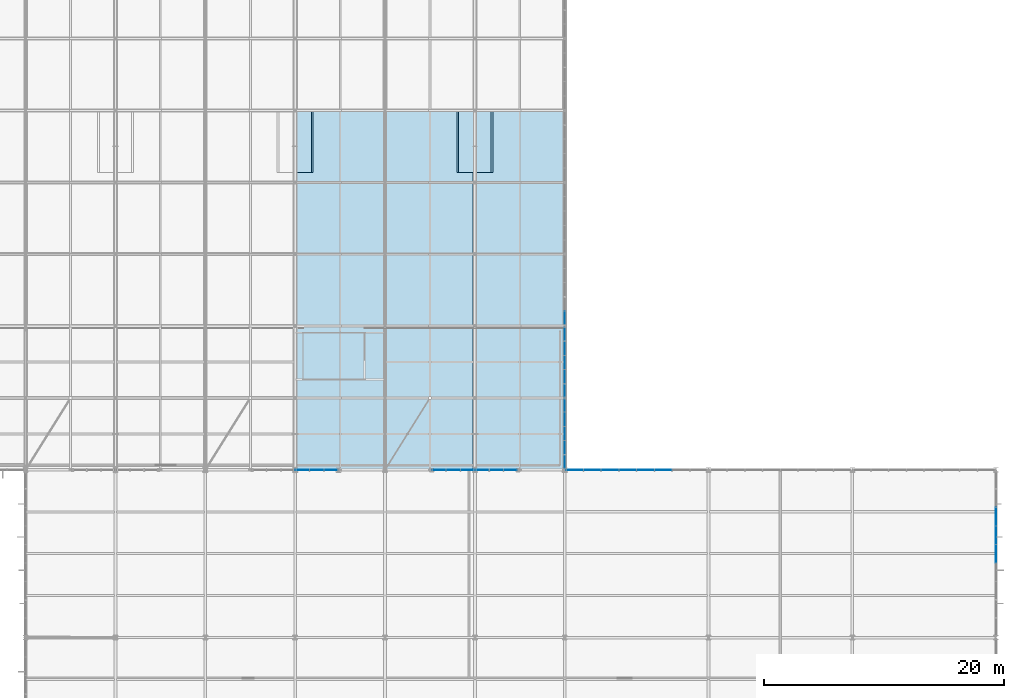
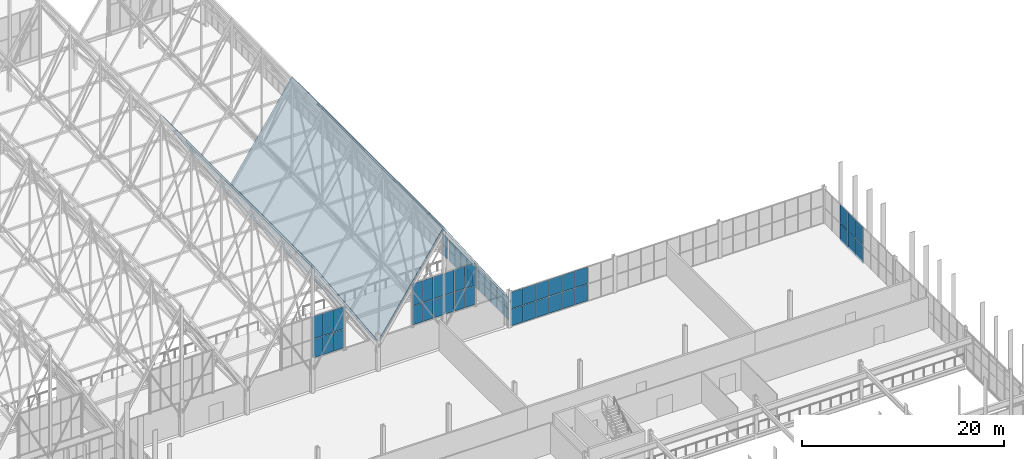
# One storey, part 284 of 324: 61 plates, 3 slabs, 7 elements without a shape of their own.
"""IFC4 building model written with IfcOpenShell, lengths in metres."""

from ifc_helpers import new_model, si_unit, direction, frame, origin, origin_2d, place, context, subcontext, project, spatial, polyline, rectangle, outline, extrude, material, layer, layer_set, type_object, element, aggregate, save


model = new_model("IFC4")

# Units and contexts
model_context = context("Model", 3, precision=1e-05, world=origin(), true_north=direction((0.0, 1.0)))
body_context = subcontext(model_context, "Body", "Model", "MODEL_VIEW")
ifc_project = project(units=[si_unit("LENGTHUNIT", "METRE"), si_unit("AREAUNIT", "SQUARE_METRE"), si_unit("VOLUMEUNIT", "CUBIC_METRE"), si_unit("PLANEANGLEUNIT", "RADIAN"), si_unit("MASSUNIT", "GRAM", prefix="KILO")], contexts=[model_context])

# Site, building, storey
site_placement = place(None, origin())
site = spatial("IfcSite", under=ifc_project, at=site_placement, CompositionType="ELEMENT")
building_placement = place(site_placement, origin())
building = spatial("IfcBuilding", under=site, at=building_placement, Name="Solvenia Promenade Tram Depot", CompositionType="ELEMENT")
storey_placement = place(building_placement, frame((0.0, 0.0, 4.5)))
storey = spatial("IfcBuildingStorey", under=building, at=storey_placement, Name="L01", CompositionType="ELEMENT", Elevation=4.5)

# Curtain wall, plates
ifc_material_1 = material(Name="Anodized aluminium AW-6063 T6", Category="aluminium")
ifc_layer_1 = layer(ifc_material_1, 0.14990234375, Name="Anodized aluminium AW-6063 T6", Category="aluminium")
ifc_layer_set_1 = layer_set([ifc_layer_1], Name="Anodized aluminium AW-6063 T6")
curtain_wall_type_1 = type_object("IfcCurtainWallType", Name="CW-Gable-1200", PredefinedType="NOTDEFINED", material=ifc_layer_set_1)
curtain_wall_1_placement = place(storey_placement, origin())
curtain_wall_1 = element("IfcCurtainWall", 1, at=curtain_wall_1_placement, inside=storey, type_object=curtain_wall_type_1, Name="South Zigzag Gable 09 Peak Glazing", PredefinedType="NOTDEFINED")
ifc_material_2 = material(Name="Low-iron translucent U-profile channel glass", Category="glass")
ifc_layer_2 = layer(ifc_material_2, 0.028076171875, Name="Low-iron translucent U-profile channel glass", Category="glass")
ifc_layer_set_2 = layer_set([ifc_layer_2], Name="Low-iron translucent U-profile channel glass")
plate_type_1 = type_object("IfcPlateType", Name="CWP-Panel-1", PredefinedType="CURTAIN_PANEL", material=ifc_layer_set_2)
plate_1_placement = place(storey_placement, frame((128.10009765625, 66.0, 4.10791015625), z_axis=(0.0, 0.0, 1.0), x_axis=(1.0, 0.0, 0.0)))
plate_1 = element("IfcPlate", 2, at=plate_1_placement, type_object=plate_type_1, Name="CW-3 panel 4.1", PredefinedType="CURTAIN_PANEL", context=body_context, shape_type="SweptSolid", body=[
    extrude(rectangle(XDim=1.152099609375, YDim=0.028076171875, at=origin_2d()), origin(), (0.0, 0.0, 1.0), 2.262939453125),
])
plate_2_placement = place(storey_placement, frame((128.10009765625, 66.0, 6.428955078125), z_axis=(0.0, 0.0, 1.0), x_axis=(1.0, 0.0, 0.0)))
plate_2 = element("IfcPlate", 3, at=plate_2_placement, type_object=plate_type_1, Name="CW-3 panel 4.2", PredefinedType="CURTAIN_PANEL", context=body_context, shape_type="SweptSolid", body=[
    extrude(rectangle(XDim=1.152099609375, YDim=0.028076171875, at=origin_2d()), origin(), (0.0, 0.0, 1.0), 2.6630859375),
])
plate_3_placement = place(storey_placement, frame((129.300048828125, 66.0, 4.10791015625), z_axis=(0.0, 0.0, 1.0), x_axis=(1.0, 0.0, 0.0)))
plate_3 = element("IfcPlate", 4, at=plate_3_placement, type_object=plate_type_1, Name="CW-3 panel 5.1", PredefinedType="CURTAIN_PANEL", context=body_context, shape_type="SweptSolid", body=[
    extrude(rectangle(XDim=1.152099609375, YDim=0.028076171875, at=origin_2d()), origin(), (0.0, 0.0, 1.0), 2.262939453125),
])
plate_4_placement = place(storey_placement, frame((129.300048828125, 66.0, 6.428955078125), z_axis=(0.0, 0.0, 1.0), x_axis=(1.0, 0.0, 0.0)))
plate_4 = element("IfcPlate", 5, at=plate_4_placement, type_object=plate_type_1, Name="CW-3 panel 5.2", PredefinedType="CURTAIN_PANEL", context=body_context, shape_type="SweptSolid", body=[
    extrude(rectangle(XDim=1.152099609375, YDim=0.028076171875, at=origin_2d()), origin(), (0.0, 0.0, 1.0), 2.6630859375),
])
plate_5_placement = place(storey_placement, frame((130.488037109375, 66.0, 4.10791015625), z_axis=(0.0, 0.0, 1.0), x_axis=(1.0, 0.0, 0.0)))
plate_5 = element("IfcPlate", 6, at=plate_5_placement, type_object=plate_type_1, Name="CW-3 panel 6.1", PredefinedType="CURTAIN_PANEL", context=body_context, shape_type="SweptSolid", body=[
    extrude(rectangle(XDim=1.1279296875, YDim=0.028076171875, at=origin_2d()), origin(), (0.0, 0.0, 1.0), 2.262939453125),
])
plate_6_placement = place(storey_placement, frame((130.488037109375, 66.0, 6.428955078125), z_axis=(0.0, 0.0, 1.0), x_axis=(1.0, 0.0, 0.0)))
plate_6 = element("IfcPlate", 7, at=plate_6_placement, type_object=plate_type_1, Name="CW-3 panel 6.2", PredefinedType="CURTAIN_PANEL", context=body_context, shape_type="SweptSolid", body=[
    extrude(rectangle(XDim=1.1279296875, YDim=0.028076171875, at=origin_2d()), origin(), (0.0, 0.0, 1.0), 2.6630859375),
])
aggregate(curtain_wall_1, [plate_1, plate_2, plate_3, plate_4, plate_5, plate_6])

curtain_wall_2_placement = place(storey_placement, origin())
curtain_wall_2 = element("IfcCurtainWall", 8, at=curtain_wall_2_placement, inside=storey, type_object=curtain_wall_type_1, Name="South Zigzag Gable 10 Peak Glazing", PredefinedType="NOTDEFINED")
plate_7_placement = place(storey_placement, frame((139.511962890625, 66.0, 4.10791015625), z_axis=(0.0, 0.0, 1.0), x_axis=(1.0, 0.0, 0.0)))
plate_7 = element("IfcPlate", 9, at=plate_7_placement, type_object=plate_type_1, Name="CW-3 panel 1.1", PredefinedType="CURTAIN_PANEL", context=body_context, shape_type="SweptSolid", body=[
    extrude(rectangle(XDim=1.1279296875, YDim=0.028076171875, at=origin_2d()), origin(), (0.0, 0.0, 1.0), 2.262939453125),
])
plate_8_placement = place(storey_placement, frame((139.511962890625, 66.0, 6.428955078125), z_axis=(0.0, 0.0, 1.0), x_axis=(1.0, 0.0, 0.0)))
plate_8 = element("IfcPlate", 10, at=plate_8_placement, type_object=plate_type_1, Name="CW-3 panel 1.2", PredefinedType="CURTAIN_PANEL", context=body_context, shape_type="SweptSolid", body=[
    extrude(rectangle(XDim=1.1279296875, YDim=0.028076171875, at=origin_2d()), origin(), (0.0, 0.0, 1.0), 2.6630859375),
])
plate_9_placement = place(storey_placement, frame((140.699951171875, 66.0, 4.10791015625), z_axis=(0.0, 0.0, 1.0), x_axis=(1.0, 0.0, 0.0)))
plate_9 = element("IfcPlate", 11, at=plate_9_placement, type_object=plate_type_1, Name="CW-3 panel 2.1", PredefinedType="CURTAIN_PANEL", context=body_context, shape_type="SweptSolid", body=[
    extrude(rectangle(XDim=1.152099609375, YDim=0.028076171875, at=origin_2d()), origin(), (0.0, 0.0, 1.0), 2.262939453125),
])
plate_10_placement = place(storey_placement, frame((140.699951171875, 66.0, 6.428955078125), z_axis=(0.0, 0.0, 1.0), x_axis=(1.0, 0.0, 0.0)))
plate_10 = element("IfcPlate", 12, at=plate_10_placement, type_object=plate_type_1, Name="CW-3 panel 2.2", PredefinedType="CURTAIN_PANEL", context=body_context, shape_type="SweptSolid", body=[
    extrude(rectangle(XDim=1.152099609375, YDim=0.028076171875, at=origin_2d()), origin(), (0.0, 0.0, 1.0), 2.6630859375),
])
plate_11_placement = place(storey_placement, frame((141.89990234375, 66.0, 4.10791015625), z_axis=(0.0, 0.0, 1.0), x_axis=(1.0, 0.0, 0.0)))
plate_11 = element("IfcPlate", 13, at=plate_11_placement, type_object=plate_type_1, Name="CW-3 panel 3.1", PredefinedType="CURTAIN_PANEL", context=body_context, shape_type="SweptSolid", body=[
    extrude(rectangle(XDim=1.152099609375, YDim=0.028076171875, at=origin_2d()), origin(), (0.0, 0.0, 1.0), 2.262939453125),
])
plate_12_placement = place(storey_placement, frame((141.89990234375, 66.0, 6.428955078125), z_axis=(0.0, 0.0, 1.0), x_axis=(1.0, 0.0, 0.0)))
plate_12 = element("IfcPlate", 14, at=plate_12_placement, type_object=plate_type_1, Name="CW-3 panel 3.2", PredefinedType="CURTAIN_PANEL", context=body_context, shape_type="SweptSolid", body=[
    extrude(rectangle(XDim=1.152099609375, YDim=0.028076171875, at=origin_2d()), origin(), (0.0, 0.0, 1.0), 2.6630859375),
])
plate_13_placement = place(storey_placement, frame((143.10009765625, 66.0, 4.10791015625), z_axis=(0.0, 0.0, 1.0), x_axis=(1.0, 0.0, 0.0)))
plate_13 = element("IfcPlate", 15, at=plate_13_placement, type_object=plate_type_1, Name="CW-3 panel 4.1", PredefinedType="CURTAIN_PANEL", context=body_context, shape_type="SweptSolid", body=[
    extrude(rectangle(XDim=1.152099609375, YDim=0.028076171875, at=origin_2d()), origin(), (0.0, 0.0, 1.0), 2.262939453125),
])
plate_14_placement = place(storey_placement, frame((143.10009765625, 66.0, 6.428955078125), z_axis=(0.0, 0.0, 1.0), x_axis=(1.0, 0.0, 0.0)))
plate_14 = element("IfcPlate", 16, at=plate_14_placement, type_object=plate_type_1, Name="CW-3 panel 4.2", PredefinedType="CURTAIN_PANEL", context=body_context, shape_type="SweptSolid", body=[
    extrude(rectangle(XDim=1.152099609375, YDim=0.028076171875, at=origin_2d()), origin(), (0.0, 0.0, 1.0), 2.6630859375),
])
plate_15_placement = place(storey_placement, frame((144.300048828125, 66.0, 4.10791015625), z_axis=(0.0, 0.0, 1.0), x_axis=(1.0, 0.0, 0.0)))
plate_15 = element("IfcPlate", 17, at=plate_15_placement, type_object=plate_type_1, Name="CW-3 panel 5.1", PredefinedType="CURTAIN_PANEL", context=body_context, shape_type="SweptSolid", body=[
    extrude(rectangle(XDim=1.152099609375, YDim=0.028076171875, at=origin_2d()), origin(), (0.0, 0.0, 1.0), 2.262939453125),
])
plate_16_placement = place(storey_placement, frame((144.300048828125, 66.0, 6.428955078125), z_axis=(0.0, 0.0, 1.0), x_axis=(1.0, 0.0, 0.0)))
plate_16 = element("IfcPlate", 18, at=plate_16_placement, type_object=plate_type_1, Name="CW-3 panel 5.2", PredefinedType="CURTAIN_PANEL", context=body_context, shape_type="SweptSolid", body=[
    extrude(rectangle(XDim=1.152099609375, YDim=0.028076171875, at=origin_2d()), origin(), (0.0, 0.0, 1.0), 2.6630859375),
])
plate_17_placement = place(storey_placement, frame((145.488037109375, 66.0, 4.10791015625), z_axis=(0.0, 0.0, 1.0), x_axis=(1.0, 0.0, 0.0)))
plate_17 = element("IfcPlate", 19, at=plate_17_placement, type_object=plate_type_1, Name="CW-3 panel 6.1", PredefinedType="CURTAIN_PANEL", context=body_context, shape_type="SweptSolid", body=[
    extrude(rectangle(XDim=1.1279296875, YDim=0.028076171875, at=origin_2d()), origin(), (0.0, 0.0, 1.0), 2.262939453125),
])
plate_18_placement = place(storey_placement, frame((145.488037109375, 66.0, 6.428955078125), z_axis=(0.0, 0.0, 1.0), x_axis=(1.0, 0.0, 0.0)))
plate_18 = element("IfcPlate", 20, at=plate_18_placement, type_object=plate_type_1, Name="CW-3 panel 6.2", PredefinedType="CURTAIN_PANEL", context=body_context, shape_type="SweptSolid", body=[
    extrude(rectangle(XDim=1.1279296875, YDim=0.028076171875, at=origin_2d()), origin(), (0.0, 0.0, 1.0), 2.6630859375),
])
aggregate(curtain_wall_2, [plate_7, plate_8, plate_9, plate_10, plate_11, plate_12, plate_13, plate_14, plate_15, plate_16, plate_17, plate_18])

ifc_layer_3 = layer(ifc_material_1, 0.159912109375, Name="Anodized aluminium AW-6063 T6", Category="aluminium")
ifc_layer_set_3 = layer_set([ifc_layer_3], Name="Anodized aluminium AW-6063 T6")
curtain_wall_type_2 = type_object("IfcCurtainWallType", Name="CW-Channel-1200", PredefinedType="NOTDEFINED", material=ifc_layer_set_3)
curtain_wall_3_placement = place(storey_placement, origin())
curtain_wall_3 = element("IfcCurtainWall", 21, at=curtain_wall_3_placement, inside=storey, type_object=curtain_wall_type_2, Name="Curtain Wall CW-V1E-01", PredefinedType="NOTDEFINED")
plate_19_placement = place(storey_placement, frame((150.0, 66.68505859375, 0.759765625), z_axis=(0.0, 0.0, 1.0), x_axis=(0.0, 1.0, 0.0)))
plate_19 = element("IfcPlate", 22, at=plate_19_placement, type_object=plate_type_1, Name="CW-1 panel 1.1", PredefinedType="CURTAIN_PANEL", context=body_context, shape_type="SweptSolid", body=[
    extrude(rectangle(XDim=1.10595703125, YDim=0.028076171875, at=origin_2d()), origin(), (0.0, 0.0, 1.0), 1.260009765625),
])
plate_20_placement = place(storey_placement, frame((150.0, 66.68505859375, 2.080078125), z_axis=(0.0, 0.0, 1.0), x_axis=(0.0, 1.0, 0.0)))
plate_20 = element("IfcPlate", 23, at=plate_20_placement, type_object=plate_type_1, Name="CW-1 panel 1.2", PredefinedType="CURTAIN_PANEL", context=body_context, shape_type="SweptSolid", body=[
    extrude(rectangle(XDim=1.10595703125, YDim=0.028076171875, at=origin_2d()), origin(), (0.0, 0.0, 1.0), 1.260009765625),
])
plate_21_placement = place(storey_placement, frame((150.0, 67.85595703125, 0.759765625), z_axis=(0.0, 0.0, 1.0), x_axis=(0.0, 1.0, 0.0)))
plate_21 = element("IfcPlate", 24, at=plate_21_placement, type_object=plate_type_1, Name="CW-1 panel 2.1", PredefinedType="CURTAIN_PANEL", context=body_context, shape_type="SweptSolid", body=[
    extrude(rectangle(XDim=1.132080078125, YDim=0.028076171875, at=origin_2d()), origin(), (0.0, 0.0, 1.0), 1.260009765625),
])
plate_22_placement = place(storey_placement, frame((150.0, 67.85595703125, 2.080078125), z_axis=(0.0, 0.0, 1.0), x_axis=(0.0, 1.0, 0.0)))
plate_22 = element("IfcPlate", 25, at=plate_22_placement, type_object=plate_type_1, Name="CW-1 panel 2.2", PredefinedType="CURTAIN_PANEL", context=body_context, shape_type="SweptSolid", body=[
    extrude(rectangle(XDim=1.132080078125, YDim=0.028076171875, at=origin_2d()), origin(), (0.0, 0.0, 1.0), 1.260009765625),
])
plate_23_placement = place(storey_placement, frame((150.0, 69.0400390625, 0.759765625), z_axis=(0.0, 0.0, 1.0), x_axis=(0.0, 1.0, 0.0)))
plate_23 = element("IfcPlate", 26, at=plate_23_placement, type_object=plate_type_1, Name="CW-1 panel 3.1", PredefinedType="CURTAIN_PANEL", context=body_context, shape_type="SweptSolid", body=[
    extrude(rectangle(XDim=1.132080078125, YDim=0.028076171875, at=origin_2d()), origin(), (0.0, 0.0, 1.0), 1.260009765625),
])
plate_24_placement = place(storey_placement, frame((150.0, 69.0400390625, 2.080078125), z_axis=(0.0, 0.0, 1.0), x_axis=(0.0, 1.0, 0.0)))
plate_24 = element("IfcPlate", 27, at=plate_24_placement, type_object=plate_type_1, Name="CW-1 panel 3.2", PredefinedType="CURTAIN_PANEL", context=body_context, shape_type="SweptSolid", body=[
    extrude(rectangle(XDim=1.132080078125, YDim=0.028076171875, at=origin_2d()), origin(), (0.0, 0.0, 1.0), 1.260009765625),
])
plate_25_placement = place(storey_placement, frame((150.0, 70.22412109375, 0.759765625), z_axis=(0.0, 0.0, 1.0), x_axis=(0.0, 1.0, 0.0)))
plate_25 = element("IfcPlate", 28, at=plate_25_placement, type_object=plate_type_1, Name="CW-1 panel 4.1", PredefinedType="CURTAIN_PANEL", context=body_context, shape_type="SweptSolid", body=[
    extrude(rectangle(XDim=1.132080078125, YDim=0.028076171875, at=origin_2d()), origin(), (0.0, 0.0, 1.0), 1.260009765625),
])
plate_26_placement = place(storey_placement, frame((150.0, 70.22412109375, 2.080078125), z_axis=(0.0, 0.0, 1.0), x_axis=(0.0, 1.0, 0.0)))
plate_26 = element("IfcPlate", 29, at=plate_26_placement, type_object=plate_type_1, Name="CW-1 panel 4.2", PredefinedType="CURTAIN_PANEL", context=body_context, shape_type="SweptSolid", body=[
    extrude(rectangle(XDim=1.132080078125, YDim=0.028076171875, at=origin_2d()), origin(), (0.0, 0.0, 1.0), 1.260009765625),
])
plate_27_placement = place(storey_placement, frame((150.0, 71.39501953125, 0.759765625), z_axis=(0.0, 0.0, 1.0), x_axis=(0.0, 1.0, 0.0)))
plate_27 = element("IfcPlate", 30, at=plate_27_placement, type_object=plate_type_1, Name="CW-1 panel 5.1", PredefinedType="CURTAIN_PANEL", context=body_context, shape_type="SweptSolid", body=[
    extrude(rectangle(XDim=1.10595703125, YDim=0.028076171875, at=origin_2d()), origin(), (0.0, 0.0, 1.0), 1.260009765625),
])
plate_28_placement = place(storey_placement, frame((150.0, 71.39501953125, 2.080078125), z_axis=(0.0, 0.0, 1.0), x_axis=(0.0, 1.0, 0.0)))
plate_28 = element("IfcPlate", 31, at=plate_28_placement, type_object=plate_type_1, Name="CW-1 panel 5.2", PredefinedType="CURTAIN_PANEL", context=body_context, shape_type="SweptSolid", body=[
    extrude(rectangle(XDim=1.10595703125, YDim=0.028076171875, at=origin_2d()), origin(), (0.0, 0.0, 1.0), 1.260009765625),
])
aggregate(curtain_wall_3, [plate_19, plate_20, plate_21, plate_22, plate_23, plate_24, plate_25, plate_26, plate_27, plate_28])

curtain_wall_4_placement = place(storey_placement, origin())
curtain_wall_4 = element("IfcCurtainWall", 32, at=curtain_wall_4_placement, inside=storey, type_object=curtain_wall_type_2, Name="Curtain Wall CW-V1E-02", PredefinedType="NOTDEFINED")
plate_29_placement = place(storey_placement, frame((150.0, 72.60498046875, 0.759765625), z_axis=(0.0, 0.0, 1.0), x_axis=(0.0, 1.0, 0.0)))
plate_29 = element("IfcPlate", 33, at=plate_29_placement, type_object=plate_type_1, Name="CW-1 panel 1.1", PredefinedType="CURTAIN_PANEL", context=body_context, shape_type="SweptSolid", body=[
    extrude(rectangle(XDim=1.10595703125, YDim=0.028076171875, at=origin_2d()), origin(), (0.0, 0.0, 1.0), 1.260009765625),
])
plate_30_placement = place(storey_placement, frame((150.0, 72.60498046875, 2.080078125), z_axis=(0.0, 0.0, 1.0), x_axis=(0.0, 1.0, 0.0)))
plate_30 = element("IfcPlate", 34, at=plate_30_placement, type_object=plate_type_1, Name="CW-1 panel 1.2", PredefinedType="CURTAIN_PANEL", context=body_context, shape_type="SweptSolid", body=[
    extrude(rectangle(XDim=1.10595703125, YDim=0.028076171875, at=origin_2d()), origin(), (0.0, 0.0, 1.0), 1.260009765625),
])
plate_31_placement = place(storey_placement, frame((150.0, 73.77587890625, 0.759765625), z_axis=(0.0, 0.0, 1.0), x_axis=(0.0, 1.0, 0.0)))
plate_31 = element("IfcPlate", 35, at=plate_31_placement, type_object=plate_type_1, Name="CW-1 panel 2.1", PredefinedType="CURTAIN_PANEL", context=body_context, shape_type="SweptSolid", body=[
    extrude(rectangle(XDim=1.132080078125, YDim=0.028076171875, at=origin_2d()), origin(), (0.0, 0.0, 1.0), 1.260009765625),
])
plate_32_placement = place(storey_placement, frame((150.0, 73.77587890625, 2.080078125), z_axis=(0.0, 0.0, 1.0), x_axis=(0.0, 1.0, 0.0)))
plate_32 = element("IfcPlate", 36, at=plate_32_placement, type_object=plate_type_1, Name="CW-1 panel 2.2", PredefinedType="CURTAIN_PANEL", context=body_context, shape_type="SweptSolid", body=[
    extrude(rectangle(XDim=1.132080078125, YDim=0.028076171875, at=origin_2d()), origin(), (0.0, 0.0, 1.0), 1.260009765625),
])
plate_33_placement = place(storey_placement, frame((150.0, 74.9599609375, 0.759765625), z_axis=(0.0, 0.0, 1.0), x_axis=(0.0, 1.0, 0.0)))
plate_33 = element("IfcPlate", 37, at=plate_33_placement, type_object=plate_type_1, Name="CW-1 panel 3.1", PredefinedType="CURTAIN_PANEL", context=body_context, shape_type="SweptSolid", body=[
    extrude(rectangle(XDim=1.132080078125, YDim=0.028076171875, at=origin_2d()), origin(), (0.0, 0.0, 1.0), 1.260009765625),
])
plate_34_placement = place(storey_placement, frame((150.0, 74.9599609375, 2.080078125), z_axis=(0.0, 0.0, 1.0), x_axis=(0.0, 1.0, 0.0)))
plate_34 = element("IfcPlate", 38, at=plate_34_placement, type_object=plate_type_1, Name="CW-1 panel 3.2", PredefinedType="CURTAIN_PANEL", context=body_context, shape_type="SweptSolid", body=[
    extrude(rectangle(XDim=1.132080078125, YDim=0.028076171875, at=origin_2d()), origin(), (0.0, 0.0, 1.0), 1.260009765625),
])
plate_35_placement = place(storey_placement, frame((150.0, 76.14404296875, 0.759765625), z_axis=(0.0, 0.0, 1.0), x_axis=(0.0, 1.0, 0.0)))
plate_35 = element("IfcPlate", 39, at=plate_35_placement, type_object=plate_type_1, Name="CW-1 panel 4.1", PredefinedType="CURTAIN_PANEL", context=body_context, shape_type="SweptSolid", body=[
    extrude(rectangle(XDim=1.132080078125, YDim=0.028076171875, at=origin_2d()), origin(), (0.0, 0.0, 1.0), 1.260009765625),
])
plate_36_placement = place(storey_placement, frame((150.0, 76.14404296875, 2.080078125), z_axis=(0.0, 0.0, 1.0), x_axis=(0.0, 1.0, 0.0)))
plate_36 = element("IfcPlate", 40, at=plate_36_placement, type_object=plate_type_1, Name="CW-1 panel 4.2", PredefinedType="CURTAIN_PANEL", context=body_context, shape_type="SweptSolid", body=[
    extrude(rectangle(XDim=1.132080078125, YDim=0.028076171875, at=origin_2d()), origin(), (0.0, 0.0, 1.0), 1.260009765625),
])
plate_37_placement = place(storey_placement, frame((150.0, 77.31494140625, 0.759765625), z_axis=(0.0, 0.0, 1.0), x_axis=(0.0, 1.0, 0.0)))
plate_37 = element("IfcPlate", 41, at=plate_37_placement, type_object=plate_type_1, Name="CW-1 panel 5.1", PredefinedType="CURTAIN_PANEL", context=body_context, shape_type="SweptSolid", body=[
    extrude(rectangle(XDim=1.10595703125, YDim=0.028076171875, at=origin_2d()), origin(), (0.0, 0.0, 1.0), 1.260009765625),
])
plate_38_placement = place(storey_placement, frame((150.0, 77.31494140625, 2.080078125), z_axis=(0.0, 0.0, 1.0), x_axis=(0.0, 1.0, 0.0)))
plate_38 = element("IfcPlate", 42, at=plate_38_placement, type_object=plate_type_1, Name="CW-1 panel 5.2", PredefinedType="CURTAIN_PANEL", context=body_context, shape_type="SweptSolid", body=[
    extrude(rectangle(XDim=1.10595703125, YDim=0.028076171875, at=origin_2d()), origin(), (0.0, 0.0, 1.0), 1.260009765625),
])
aggregate(curtain_wall_4, [plate_29, plate_30, plate_31, plate_32, plate_33, plate_34, plate_35, plate_36, plate_37, plate_38])

curtain_wall_5_placement = place(storey_placement, origin())
curtain_wall_5 = element("IfcCurtainWall", 43, at=curtain_wall_5_placement, inside=storey, type_object=curtain_wall_type_2, Name="Curtain Wall CW-V1E-03", PredefinedType="NOTDEFINED")
plate_39_placement = place(storey_placement, frame((150.0, 78.68505859375, 0.759765625), z_axis=(0.0, 0.0, 1.0), x_axis=(0.0, 1.0, 0.0)))
plate_39 = element("IfcPlate", 44, at=plate_39_placement, type_object=plate_type_1, Name="CW-1 panel 1.1", PredefinedType="CURTAIN_PANEL", context=body_context, shape_type="SweptSolid", body=[
    extrude(rectangle(XDim=1.10595703125, YDim=0.028076171875, at=origin_2d()), origin(), (0.0, 0.0, 1.0), 1.260009765625),
])
plate_40_placement = place(storey_placement, frame((150.0, 78.68505859375, 2.080078125), z_axis=(0.0, 0.0, 1.0), x_axis=(0.0, 1.0, 0.0)))
plate_40 = element("IfcPlate", 45, at=plate_40_placement, type_object=plate_type_1, Name="CW-1 panel 1.2", PredefinedType="CURTAIN_PANEL", context=body_context, shape_type="SweptSolid", body=[
    extrude(rectangle(XDim=1.10595703125, YDim=0.028076171875, at=origin_2d()), origin(), (0.0, 0.0, 1.0), 1.260009765625),
])
aggregate(curtain_wall_5, [plate_39, plate_40])

ifc_layer_4 = layer(ifc_material_1, 0.080078125, Name="Anodized aluminium AW-6063 T6", Category="aluminium")
ifc_layer_set_4 = layer_set([ifc_layer_4], Name="Anodized aluminium AW-6063 T6")
curtain_wall_type_3 = type_object("IfcCurtainWallType", Name="CW-Clerest-1500", PredefinedType="NOTDEFINED", material=ifc_layer_set_4)
curtain_wall_6_placement = place(storey_placement, origin())
curtain_wall_6 = element("IfcCurtainWall", 46, at=curtain_wall_6_placement, inside=storey, type_object=curtain_wall_type_3, Name="Curtain Wall CW-V2E-L1-3", PredefinedType="NOTDEFINED")
ifc_material_3 = material(Name="Double low-e argon insulated glass", Category="glass")
ifc_layer_5 = layer(ifc_material_3, 0.031982421875, Name="Double low-e argon insulated glass", Category="glass")
ifc_layer_set_5 = layer_set([ifc_layer_5], Name="Double low-e argon insulated glass")
plate_type_2 = type_object("IfcPlateType", Name="CWP-Panel-2", PredefinedType="CURTAIN_PANEL", material=ifc_layer_set_5)
plate_41_placement = place(storey_placement, frame((186.0, 59.0, -0.294921875), z_axis=(0.0, 0.0, 1.0), x_axis=(0.0, 1.0, 0.0)))
plate_41 = element("IfcPlate", 47, at=plate_41_placement, type_object=plate_type_2, Name="CW-4 panel 5.1", PredefinedType="CURTAIN_PANEL", context=body_context, shape_type="SweptSolid", body=[
    extrude(rectangle(XDim=1.482666015625, YDim=0.031982421875, at=origin_2d()), origin(), (0.0, 0.0, 1.0), 2.16748046875),
])
plate_42_placement = place(storey_placement, frame((186.0, 59.0, 1.92724609375), z_axis=(0.0, 0.0, 1.0), x_axis=(0.0, 1.0, 0.0)))
plate_42 = element("IfcPlate", 48, at=plate_42_placement, type_object=plate_type_2, Name="CW-4 panel 5.2", PredefinedType="CURTAIN_PANEL", context=body_context, shape_type="SweptSolid", body=[
    extrude(rectangle(XDim=1.482666015625, YDim=0.031982421875, at=origin_2d()), origin(), (0.0, 0.0, 1.0), 2.217529296875),
])
plate_43_placement = place(storey_placement, frame((186.0, 60.537841796875, -0.294921875), z_axis=(0.0, 0.0, 1.0), x_axis=(0.0, 1.0, 0.0)))
plate_43 = element("IfcPlate", 49, at=plate_43_placement, type_object=plate_type_2, Name="CW-4 panel 6.1", PredefinedType="CURTAIN_PANEL", context=body_context, shape_type="SweptSolid", body=[
    extrude(rectangle(XDim=1.482666015625, YDim=0.031982421875, at=origin_2d()), origin(), (0.0, 0.0, 1.0), 2.16748046875),
])
plate_44_placement = place(storey_placement, frame((186.0, 60.537841796875, 1.92724609375), z_axis=(0.0, 0.0, 1.0), x_axis=(0.0, 1.0, 0.0)))
plate_44 = element("IfcPlate", 50, at=plate_44_placement, type_object=plate_type_2, Name="CW-4 panel 6.2", PredefinedType="CURTAIN_PANEL", context=body_context, shape_type="SweptSolid", body=[
    extrude(rectangle(XDim=1.482666015625, YDim=0.031982421875, at=origin_2d()), origin(), (0.0, 0.0, 1.0), 2.217529296875),
])
plate_45_placement = place(storey_placement, frame((186.0, 62.075439453125, -0.294921875), z_axis=(0.0, 0.0, 1.0), x_axis=(0.0, 1.0, 0.0)))
plate_45 = element("IfcPlate", 51, at=plate_45_placement, type_object=plate_type_2, Name="CW-4 panel 7.1", PredefinedType="CURTAIN_PANEL", context=body_context, shape_type="SweptSolid", body=[
    extrude(rectangle(XDim=1.482666015625, YDim=0.031982421875, at=origin_2d()), origin(), (0.0, 0.0, 1.0), 2.16748046875),
])
plate_46_placement = place(storey_placement, frame((186.0, 62.075439453125, 1.92724609375), z_axis=(0.0, 0.0, 1.0), x_axis=(0.0, 1.0, 0.0)))
plate_46 = element("IfcPlate", 52, at=plate_46_placement, type_object=plate_type_2, Name="CW-4 panel 7.2", PredefinedType="CURTAIN_PANEL", context=body_context, shape_type="SweptSolid", body=[
    extrude(rectangle(XDim=1.482666015625, YDim=0.031982421875, at=origin_2d()), origin(), (0.0, 0.0, 1.0), 2.217529296875),
])
aggregate(curtain_wall_6, [plate_41, plate_42, plate_43, plate_44, plate_45, plate_46])

curtain_wall_7_placement = place(storey_placement, origin())
curtain_wall_7 = element("IfcCurtainWall", 53, at=curtain_wall_7_placement, inside=storey, type_object=curtain_wall_type_3, Name="Curtain Wall CW-V2N-L1-150", PredefinedType="NOTDEFINED")
ifc_layer_6 = layer(ifc_material_3, 0.035888671875, Name="Double low-e argon insulated glass", Category="glass")
ifc_layer_set_6 = layer_set([ifc_layer_6], Name="Double low-e argon insulated glass")
plate_type_3 = type_object("IfcPlateType", Name="CWP-Panel-3", PredefinedType="CURTAIN_PANEL", material=ifc_layer_set_6)
plate_47_placement = place(storey_placement, frame((150.83203125, 66.0, 0.05810546875), z_axis=(0.0, 0.0, 1.0), x_axis=(1.0, 0.0, 0.0)))
plate_47 = element("IfcPlate", 54, at=plate_47_placement, type_object=plate_type_3, Name="CW-4 panel 1.1", PredefinedType="CURTAIN_PANEL", context=body_context, shape_type="SweptSolid", body=[
    extrude(rectangle(XDim=1.407958984375, YDim=0.035888671875, at=origin_2d()), origin(), (0.0, 0.0, 1.0), 2.012939453125),
])
plate_48_placement = place(storey_placement, frame((150.83203125, 66.0, 2.12890625), z_axis=(0.0, 0.0, 1.0), x_axis=(1.0, 0.0, 0.0)))
plate_48 = element("IfcPlate", 55, at=plate_48_placement, type_object=plate_type_3, Name="CW-4 panel 1.2", PredefinedType="CURTAIN_PANEL", context=body_context, shape_type="SweptSolid", body=[
    extrude(rectangle(XDim=1.407958984375, YDim=0.035888671875, at=origin_2d()), origin(), (0.0, 0.0, 1.0), 2.012939453125),
])
plate_49_placement = place(storey_placement, frame((152.300048828125, 66.0, 0.05810546875), z_axis=(0.0, 0.0, 1.0), x_axis=(1.0, 0.0, 0.0)))
plate_49 = element("IfcPlate", 56, at=plate_49_placement, type_object=plate_type_3, Name="CW-4 panel 2.1", PredefinedType="CURTAIN_PANEL", context=body_context, shape_type="SweptSolid", body=[
    extrude(rectangle(XDim=1.431884765625, YDim=0.035888671875, at=origin_2d()), origin(), (0.0, 0.0, 1.0), 2.012939453125),
])
plate_50_placement = place(storey_placement, frame((152.300048828125, 66.0, 2.12890625), z_axis=(0.0, 0.0, 1.0), x_axis=(1.0, 0.0, 0.0)))
plate_50 = element("IfcPlate", 57, at=plate_50_placement, type_object=plate_type_3, Name="CW-4 panel 2.2", PredefinedType="CURTAIN_PANEL", context=body_context, shape_type="SweptSolid", body=[
    extrude(rectangle(XDim=1.431884765625, YDim=0.035888671875, at=origin_2d()), origin(), (0.0, 0.0, 1.0), 2.012939453125),
])
plate_51_placement = place(storey_placement, frame((153.780029296875, 66.0, 0.05810546875), z_axis=(0.0, 0.0, 1.0), x_axis=(1.0, 0.0, 0.0)))
plate_51 = element("IfcPlate", 58, at=plate_51_placement, type_object=plate_type_3, Name="CW-4 panel 3.1", PredefinedType="CURTAIN_PANEL", context=body_context, shape_type="SweptSolid", body=[
    extrude(rectangle(XDim=1.431884765625, YDim=0.035888671875, at=origin_2d()), origin(), (0.0, 0.0, 1.0), 2.012939453125),
])
plate_52_placement = place(storey_placement, frame((153.780029296875, 66.0, 2.12890625), z_axis=(0.0, 0.0, 1.0), x_axis=(1.0, 0.0, 0.0)))
plate_52 = element("IfcPlate", 59, at=plate_52_placement, type_object=plate_type_3, Name="CW-4 panel 3.2", PredefinedType="CURTAIN_PANEL", context=body_context, shape_type="SweptSolid", body=[
    extrude(rectangle(XDim=1.431884765625, YDim=0.035888671875, at=origin_2d()), origin(), (0.0, 0.0, 1.0), 2.012939453125),
])
plate_53_placement = place(storey_placement, frame((155.260009765625, 66.0, 0.05810546875), z_axis=(0.0, 0.0, 1.0), x_axis=(1.0, 0.0, 0.0)))
plate_53 = element("IfcPlate", 60, at=plate_53_placement, type_object=plate_type_3, Name="CW-4 panel 4.1", PredefinedType="CURTAIN_PANEL", context=body_context, shape_type="SweptSolid", body=[
    extrude(rectangle(XDim=1.431884765625, YDim=0.035888671875, at=origin_2d()), origin(), (0.0, 0.0, 1.0), 2.012939453125),
])
plate_54_placement = place(storey_placement, frame((155.260009765625, 66.0, 2.12890625), z_axis=(0.0, 0.0, 1.0), x_axis=(1.0, 0.0, 0.0)))
plate_54 = element("IfcPlate", 61, at=plate_54_placement, type_object=plate_type_3, Name="CW-4 panel 4.2", PredefinedType="CURTAIN_PANEL", context=body_context, shape_type="SweptSolid", body=[
    extrude(rectangle(XDim=1.431884765625, YDim=0.035888671875, at=origin_2d()), origin(), (0.0, 0.0, 1.0), 2.012939453125),
])
plate_55_placement = place(storey_placement, frame((156.739990234375, 66.0, 0.05810546875), z_axis=(0.0, 0.0, 1.0), x_axis=(1.0, 0.0, 0.0)))
plate_55 = element("IfcPlate", 62, at=plate_55_placement, type_object=plate_type_3, Name="CW-4 panel 5.1", PredefinedType="CURTAIN_PANEL", context=body_context, shape_type="SweptSolid", body=[
    extrude(rectangle(XDim=1.431884765625, YDim=0.035888671875, at=origin_2d()), origin(), (0.0, 0.0, 1.0), 2.012939453125),
])
plate_56_placement = place(storey_placement, frame((156.739990234375, 66.0, 2.12890625), z_axis=(0.0, 0.0, 1.0), x_axis=(1.0, 0.0, 0.0)))
plate_56 = element("IfcPlate", 63, at=plate_56_placement, type_object=plate_type_3, Name="CW-4 panel 5.2", PredefinedType="CURTAIN_PANEL", context=body_context, shape_type="SweptSolid", body=[
    extrude(rectangle(XDim=1.431884765625, YDim=0.035888671875, at=origin_2d()), origin(), (0.0, 0.0, 1.0), 2.012939453125),
])
plate_57_placement = place(storey_placement, frame((158.219970703125, 66.0, 0.05810546875), z_axis=(0.0, 0.0, 1.0), x_axis=(1.0, 0.0, 0.0)))
plate_57 = element("IfcPlate", 64, at=plate_57_placement, type_object=plate_type_3, Name="CW-4 panel 6.1", PredefinedType="CURTAIN_PANEL", context=body_context, shape_type="SweptSolid", body=[
    extrude(rectangle(XDim=1.431884765625, YDim=0.035888671875, at=origin_2d()), origin(), (0.0, 0.0, 1.0), 2.012939453125),
])
plate_58_placement = place(storey_placement, frame((158.219970703125, 66.0, 2.12890625), z_axis=(0.0, 0.0, 1.0), x_axis=(1.0, 0.0, 0.0)))
plate_58 = element("IfcPlate", 65, at=plate_58_placement, type_object=plate_type_3, Name="CW-4 panel 6.2", PredefinedType="CURTAIN_PANEL", context=body_context, shape_type="SweptSolid", body=[
    extrude(rectangle(XDim=1.431884765625, YDim=0.035888671875, at=origin_2d()), origin(), (0.0, 0.0, 1.0), 2.012939453125),
])
aggregate(curtain_wall_7, [plate_47, plate_48, plate_49, plate_50, plate_51, plate_52, plate_53, plate_54, plate_55, plate_56, plate_57, plate_58])

# Plates
ifc_material_4 = material(Name="Translucent multi-wall insulated polycarbonate cassette", Category="other")
ifc_layer_7 = layer(ifc_material_4, 0.0419921875, Name="Translucent multi-wall insulated polycarbonate cassette", Category="other")
ifc_layer_set_7 = layer_set([ifc_layer_7], Name="Translucent multi-wall insulated polycarbonate cassette")
plate_type_4 = type_object("IfcPlateType", Name="DaylightCassette-1", PredefinedType="SHEET", material=ifc_layer_set_7)
plate_59_placement = place(storey_placement, frame((127.5, 66.0, 15.431884765625), z_axis=(0.845790850581, 0.0, 0.533514608116), x_axis=(0.0, 1.0, 0.0)))
element("IfcPlate", 66, at=plate_59_placement, inside=storey, type_object=plate_type_4, Name="Insulated Daylight Gable 09 East Skylight Cladding 1", PredefinedType="SHEET", context=body_context, shape_type="SweptSolid", body=[
    extrude(outline(polyline([(0.0, 0.0), (30.0, 0.0), (30.0, -14.057721917841167), (0.0, -14.057721917841167), (0.0, 0.0)])), origin(), (0.0, 0.0, -1.0), 0.0419921875),
])
for number, where, z_axis, x_axis, name in (
    (67, (135.0, 66.0, 3.5419921875), (-0.830332770175, 0.0, 0.557267880623), (0.0, 1.0, 0.0), "Insulated Daylight Gable 10 West Skylight Cladding 1"),
    (68, (142.5, 66.0, 14.717041015625), (0.830332770175, 0.0, 0.557267880623), (0.0, 1.0, 0.0), "Insulated Daylight Gable 10 East Skylight Cladding 1"),
):
    element("IfcPlate", number, at=place(storey_placement, frame(where, z_axis=z_axis, x_axis=x_axis)), inside=storey, type_object=plate_type_4, Name=name, PredefinedType="SHEET", context=body_context, shape_type="SweptSolid", body=[
        extrude(outline(polyline([(0.0, 0.0), (30.0, 0.0), (30.0, -13.45851835496679), (0.0, -13.45851835496679), (0.0, 0.0)])), origin(), (0.0, 0.0, -1.0), 0.0419921875),
    ])

# Slabs
ifc_material_5 = material(Name="Concrete C28/35", Category="concrete")
ifc_layer_8 = layer(ifc_material_5, 0.179931640625, Name="Concrete C28/35", Category="concrete")
ifc_layer_set_8 = layer_set([ifc_layer_8], Name="Concrete C28/35")
slab_type = type_object("IfcSlabType", Name="Slab-Valley-180", PredefinedType="ROOF", material=ifc_layer_set_8)
slab_1_placement = place(storey_placement, frame((127.5, 66.0, 15.389892578125), z_axis=(0.845791028101, -4.49767e-07, 0.53351432669), x_axis=(3.80409e-07, 1.0, 2.39957e-07)))
element("IfcSlab", 69, at=slab_1_placement, inside=storey, type_object=slab_type, Name="Zigzag Gable 09 East Roof Deck 1", PredefinedType="ROOF", context=body_context, shape_type="SweptSolid", body=[
    extrude(outline(polyline([(0.0, 0.0), (24.800048828122492, 6.564518265917899e-22), (24.800048828134628, -2.8115030851780336), (30.000000000009102, -2.8115030851780336), (29.999999999999073, -14.05772191784039), (2.1037984455545358e-12, -14.05772191784039), (0.0, 0.0)])), origin(), (0.0, 0.0, -1.0), 0.179931640625),
])
slab_2_placement = place(storey_placement, frame((135.0, 66.0, 3.5), z_axis=(-0.830332365568, 9.39584e-07, 0.557268483488), x_axis=(7.80167e-07, 1.0, -5.23601e-07)))
element("IfcSlab", 70, at=slab_2_placement, inside=storey, type_object=slab_type, Name="Zigzag Gable 10 West Roof Deck 1", PredefinedType="ROOF", context=body_context, shape_type="SweptSolid", body=[
    extrude(outline(polyline([(0.0, 0.0), (29.99999999998676, 0.0), (30.00000000003055, -10.76673359682552), (24.800048828157845, -10.76673359682552), (24.800048828104874, -13.458518354963243), (-9.181230967413847e-12, -13.458518354963243), (0.0, 0.0)])), origin(), (0.0, 0.0, -1.0), 0.179931640625),
])
slab_3_placement = place(storey_placement, frame((142.5, 66.0, 14.675048828125), z_axis=(0.830332365568, 9.39584e-07, 0.557268483488), x_axis=(-7.80167e-07, 1.0, -5.23601e-07)))
element("IfcSlab", 71, at=slab_3_placement, inside=storey, type_object=slab_type, Name="Zigzag Gable 10 East Roof Deck 1", PredefinedType="ROOF", context=body_context, shape_type="SweptSolid", body=[
    extrude(outline(polyline([(0.0, 0.0), (24.800048828114054, 0.0), (24.800048828167025, -2.6917847581377234), (30.00000000003973, -2.6917847581377234), (29.99999999999594, -13.458518354963243), (9.181230967413847e-12, -13.458518354963243), (0.0, 0.0)])), origin(), (0.0, 0.0, -1.0), 0.179931640625),
])

save(model, "model.ifc")
